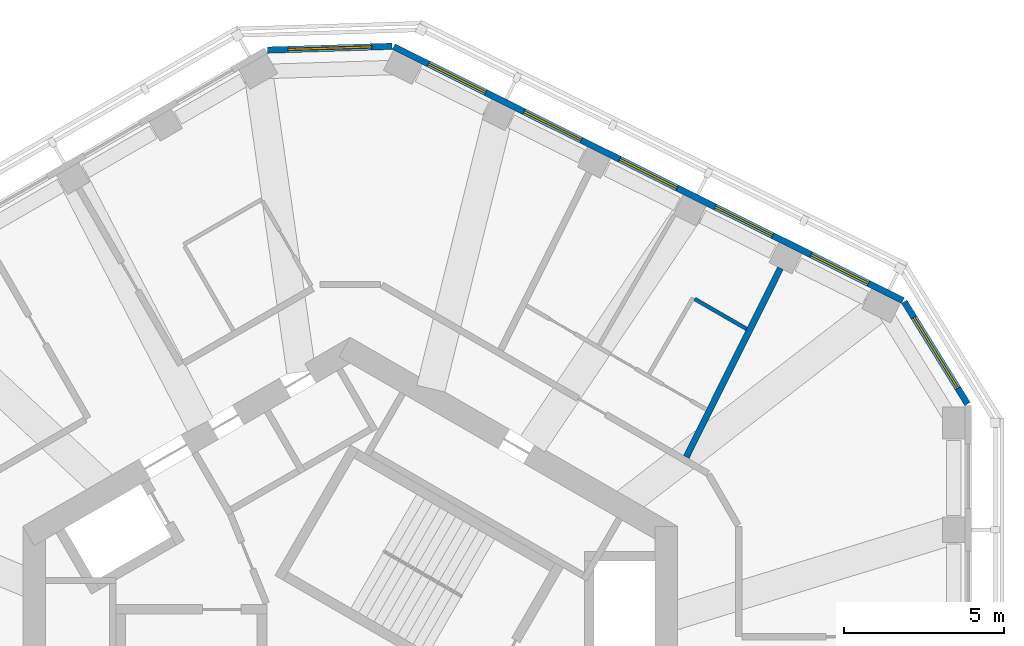
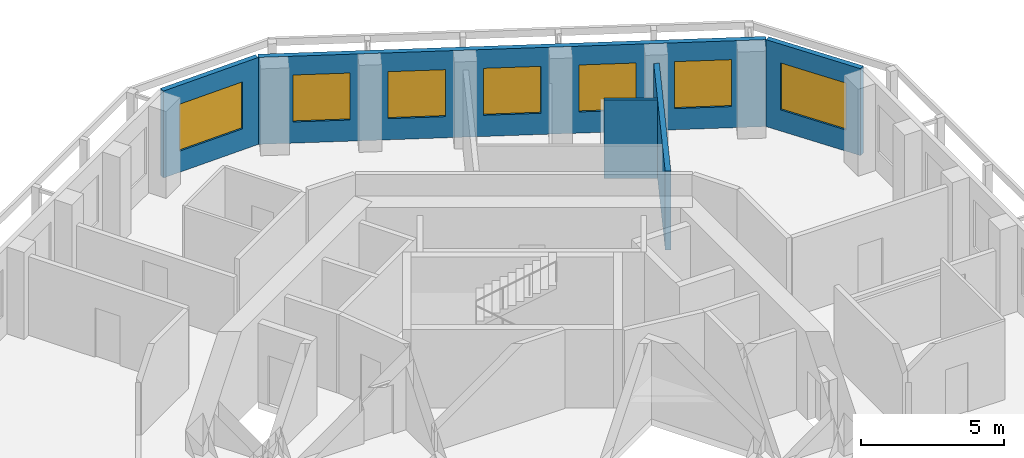
# One storey, part 8 of 11: 7 windows, 5 walls, 7 openings.
"""IFC4 building model written with IfcOpenShell, lengths in metres."""

from ifc_helpers import new_model, si_unit, direction, frame, frame_2d, origin, place, context, subcontext, project, spatial, rectangle, extrude, material, layer, layer_set, type_object, element, fill, save


model = new_model("IFC4")

# Units and contexts
model_context = context("Model", 3, precision=1e-05, world=origin(), true_north=direction((0.0, 1.0)))
body_context = subcontext(model_context, "Body", "Model", "MODEL_VIEW")
ifc_project = project(units=[si_unit("LENGTHUNIT", "METRE"), si_unit("AREAUNIT", "SQUARE_METRE"), si_unit("VOLUMEUNIT", "CUBIC_METRE"), si_unit("PLANEANGLEUNIT", "RADIAN"), si_unit("MASSUNIT", "GRAM", prefix="KILO")], contexts=[model_context])

# Site, building, storey
site_placement = place(None, origin())
site = spatial("IfcSite", under=ifc_project, at=site_placement, CompositionType="ELEMENT")
building_placement = place(site_placement, origin())
building = spatial("IfcBuilding", under=site, at=building_placement, Name="Vanh Sen Convention Tower", CompositionType="ELEMENT")
storey_placement = place(building_placement, frame((0.0, 0.0, 274.60009765625)))
storey = spatial("IfcBuildingStorey", under=building, at=storey_placement, Name="L68", CompositionType="ELEMENT", Elevation=274.60009765625)

# Wall
ifc_material_1 = material(Name="Moisture-resistant gypsum board on steel studs", Category="steel")
ifc_layer_1 = layer(ifc_material_1, 0.1201171875)
ifc_layer_set_1 = layer_set([ifc_layer_1], Name="Moisture-resistant gypsum board on steel studs")
wall_type_1 = type_object("IfcWallType", Name="Bathroom partition 120", PredefinedType="PARTITIONING", material=ifc_layer_set_1)
wall_1_placement = place(storey_placement, frame((12.34912109375, 12.038330078125, 0.0), z_axis=(0.0, 0.0, 1.0), x_axis=(-0.866039825209, 0.499975020527, 0.0)))
element("IfcWall", 1, at=wall_1_placement, inside=storey, type_object=wall_type_1, Name="Bathroom partition 120", PredefinedType="PARTITIONING", context=body_context, shape_type="SweptSolid", body=[
    extrude(rectangle(XDim=1.86865234375, YDim=0.1201171875, at=frame_2d((0.934326171875, 0.0))), origin(), (0.0, 0.0, 1.0), 3.349853515625),
])

# Wall, opening, window
ifc_material_2 = material(Name="Insulated lightweight infill wall")
ifc_layer_2 = layer(ifc_material_2, 0.199951171875)
ifc_layer_set_2 = layer_set([ifc_layer_2], Name="Insulated lightweight infill wall")
wall_type_2 = type_object("IfcWallType", Name="External wall 200", PredefinedType="STANDARD", material=ifc_layer_set_2)
wall_2_placement = place(storey_placement, frame((19.235107421875, 9.699951171875, 0.0), z_axis=(0.0, 0.0, 1.0), x_axis=(-0.526233475464, 0.850340125656, 0.0)))
wall_2 = element("IfcWall", 2, at=wall_2_placement, inside=storey, type_object=wall_type_2, Name="External wall CH1 L68", PredefinedType="STANDARD", context=body_context, shape_type="SweptSolid", body=[
    extrude(rectangle(XDim=3.746826171875, YDim=0.199951171875, at=frame_2d((1.87353515625, 0.0))), origin(), (0.0, 0.0, 1.0), 3.699951171875),
])
opening_1_placement = place(wall_2_placement, frame((0.573486328125, 0.0, 0.89990234375)))
opening_1 = element("IfcOpeningElement", 3, at=opening_1_placement, cuts=wall_2, Name="Opening WO6-CH11", PredefinedType="OPENING", context=body_context, shape_type="SweptSolid", body=[
    extrude(rectangle(XDim=2.60009765625, YDim=2.0, at=frame_2d((1.300048828125, 1.0))), frame((0.0, 0.10986328125, 0.0), z_axis=(0.0, -1.0, 0.0), x_axis=(1.0, 0.0, 0.0)), (0.0, 0.0, 1.0), 0.219970703125),
])
ifc_material_3 = material(Name="Aluminium frame with clear low-emissivity glass", Category="aluminium")
window_type_1 = type_object("IfcWindowType", Name="Office window 2600 x 2000", PartitioningType="SINGLE_PANEL", PredefinedType="WINDOW", material=ifc_material_3)
window_1_placement = place(opening_1_placement, origin())
window_1 = element("IfcWindow", 4, at=window_1_placement, inside=storey, type_object=window_type_1, Name="Window WO6-CH11", OverallHeight=2.0, OverallWidth=2.60009765625, PartitioningType="SINGLE_PANEL", PredefinedType="WINDOW", context=body_context, shape_type="SweptSolid", body=[
    extrude(rectangle(XDim=2.60009765625, YDim=2.0, at=frame_2d((1.300048828125, 1.0))), frame((0.0, 0.030029296875, 0.0), z_axis=(0.0, -1.0, 0.0), x_axis=(1.0, 0.0, 0.0)), (0.0, 0.0, 1.0), 0.06005859375),
])
fill(opening_1, window_1)

# Wall, openings, windows
wall_3_placement = place(storey_placement, frame((17.222900390625, 12.9228515625, 0.0), z_axis=(0.0, 0.0, 1.0), x_axis=(-0.894930561148, 0.44620543556, 0.0)))
wall_3 = element("IfcWall", 5, at=wall_3_placement, inside=storey, type_object=wall_type_2, Name="External wall NE L68", PredefinedType="STANDARD", context=body_context, shape_type="SweptSolid", body=[
    extrude(rectangle(XDim=17.7314453125, YDim=0.199951171875, at=frame_2d((8.86572265625, 0.0))), origin(), (0.0, 0.0, 1.0), 3.699951171875),
])
opening_2_placement = place(wall_3_placement, frame((1.20166015625, 0.0, 0.89990234375)))
opening_2 = element("IfcOpeningElement", 6, at=opening_2_placement, cuts=wall_3, Name="Opening WO5-NE1", PredefinedType="OPENING", context=body_context, shape_type="SweptSolid", body=[
    extrude(rectangle(XDim=2.0, YDim=2.0, at=frame_2d((1.0, 1.0))), frame((0.0, 0.10986328125, 0.0), z_axis=(0.0, -1.0, 0.0), x_axis=(1.0, 0.0, 0.0)), (0.0, 0.0, 1.0), 0.219970703125),
])
opening_3_placement = place(wall_3_placement, frame((4.533203125, 0.0, 0.89990234375)))
opening_3 = element("IfcOpeningElement", 7, at=opening_3_placement, cuts=wall_3, Name="Opening WO5-NE2", PredefinedType="OPENING", context=body_context, shape_type="SweptSolid", body=[
    extrude(rectangle(XDim=2.0, YDim=2.0, at=frame_2d((1.0, 1.0))), frame((0.0, 0.10986328125, 0.0), z_axis=(0.0, -1.0, 0.0), x_axis=(1.0, 0.0, 0.0)), (0.0, 0.0, 1.0), 0.219970703125),
])
opening_4_placement = place(wall_3_placement, frame((7.864990234375, 0.0, 0.89990234375)))
opening_4 = element("IfcOpeningElement", 8, at=opening_4_placement, cuts=wall_3, Name="Opening WO5-NE3", PredefinedType="OPENING", context=body_context, shape_type="SweptSolid", body=[
    extrude(rectangle(XDim=2.0, YDim=2.0, at=frame_2d((1.0, 1.0))), frame((0.0, 0.10986328125, 0.0), z_axis=(0.0, -1.0, 0.0), x_axis=(1.0, 0.0, 0.0)), (0.0, 0.0, 1.0), 0.219970703125),
])
opening_5_placement = place(wall_3_placement, frame((11.196533203125, 0.0, 0.89990234375)))
opening_5 = element("IfcOpeningElement", 9, at=opening_5_placement, cuts=wall_3, Name="Opening WO5-NE4", PredefinedType="OPENING", context=body_context, shape_type="SweptSolid", body=[
    extrude(rectangle(XDim=2.0, YDim=2.0, at=frame_2d((1.0, 1.0))), frame((0.0, 0.10986328125, 0.0), z_axis=(0.0, -1.0, 0.0), x_axis=(1.0, 0.0, 0.0)), (0.0, 0.0, 1.0), 0.219970703125),
])
opening_6_placement = place(wall_3_placement, frame((14.5283203125, 0.0, 0.89990234375)))
opening_6 = element("IfcOpeningElement", 10, at=opening_6_placement, cuts=wall_3, Name="Opening WO5-NE5", PredefinedType="OPENING", context=body_context, shape_type="SweptSolid", body=[
    extrude(rectangle(XDim=2.0, YDim=2.0, at=frame_2d((1.0, 1.0))), frame((0.0, 0.10986328125, 0.0), z_axis=(0.0, -1.0, 0.0), x_axis=(1.0, 0.0, 0.0)), (0.0, 0.0, 1.0), 0.219970703125),
])
window_type_2 = type_object("IfcWindowType", Name="Office window 2000 x 2000", PartitioningType="SINGLE_PANEL", PredefinedType="WINDOW", material=ifc_material_3)
window_2_placement = place(opening_2_placement, origin())
window_2 = element("IfcWindow", 11, at=window_2_placement, inside=storey, type_object=window_type_2, Name="Window WO5-NE1", OverallHeight=2.0, OverallWidth=2.0, PartitioningType="SINGLE_PANEL", PredefinedType="WINDOW", context=body_context, shape_type="SweptSolid", body=[
    extrude(rectangle(XDim=2.0, YDim=2.0, at=frame_2d((1.0, 1.0))), frame((0.0, 0.030029296875, 0.0), z_axis=(0.0, -1.0, 0.0), x_axis=(1.0, 0.0, 0.0)), (0.0, 0.0, 1.0), 0.06005859375),
])
fill(opening_2, window_2)
window_3_placement = place(opening_3_placement, origin())
window_3 = element("IfcWindow", 12, at=window_3_placement, inside=storey, type_object=window_type_2, Name="Window WO5-NE2", OverallHeight=2.0, OverallWidth=2.0, PartitioningType="SINGLE_PANEL", PredefinedType="WINDOW", context=body_context, shape_type="SweptSolid", body=[
    extrude(rectangle(XDim=2.0, YDim=2.0, at=frame_2d((1.0, 1.0))), frame((0.0, 0.030029296875, 0.0), z_axis=(0.0, -1.0, 0.0), x_axis=(1.0, 0.0, 0.0)), (0.0, 0.0, 1.0), 0.06005859375),
])
fill(opening_3, window_3)
window_4_placement = place(opening_4_placement, origin())
window_4 = element("IfcWindow", 13, at=window_4_placement, inside=storey, type_object=window_type_2, Name="Window WO5-NE3", OverallHeight=2.0, OverallWidth=2.0, PartitioningType="SINGLE_PANEL", PredefinedType="WINDOW", context=body_context, shape_type="SweptSolid", body=[
    extrude(rectangle(XDim=2.0, YDim=2.0, at=frame_2d((1.0, 1.0))), frame((0.0, 0.030029296875, 0.0), z_axis=(0.0, -1.0, 0.0), x_axis=(1.0, 0.0, 0.0)), (0.0, 0.0, 1.0), 0.06005859375),
])
fill(opening_4, window_4)
window_5_placement = place(opening_5_placement, origin())
window_5 = element("IfcWindow", 14, at=window_5_placement, inside=storey, type_object=window_type_2, Name="Window WO5-NE4", OverallHeight=2.0, OverallWidth=2.0, PartitioningType="SINGLE_PANEL", PredefinedType="WINDOW", context=body_context, shape_type="SweptSolid", body=[
    extrude(rectangle(XDim=2.0, YDim=2.0, at=frame_2d((1.0, 1.0))), frame((0.0, 0.030029296875, 0.0), z_axis=(0.0, -1.0, 0.0), x_axis=(1.0, 0.0, 0.0)), (0.0, 0.0, 1.0), 0.06005859375),
])
fill(opening_5, window_5)
window_6_placement = place(opening_6_placement, origin())
window_6 = element("IfcWindow", 15, at=window_6_placement, inside=storey, type_object=window_type_2, Name="Window WO5-NE5", OverallHeight=2.0, OverallWidth=2.0, PartitioningType="SINGLE_PANEL", PredefinedType="WINDOW", context=body_context, shape_type="SweptSolid", body=[
    extrude(rectangle(XDim=2.0, YDim=2.0, at=frame_2d((1.0, 1.0))), frame((0.0, 0.030029296875, 0.0), z_axis=(0.0, -1.0, 0.0), x_axis=(1.0, 0.0, 0.0)), (0.0, 0.0, 1.0), 0.06005859375),
])
fill(opening_6, window_6)

# Wall, opening, window
wall_4_placement = place(storey_placement, frame((1.306884765625, 20.84521484375, 0.0), z_axis=(0.0, 0.0, 1.0), x_axis=(-0.999533654813, -0.030536419175, 0.0)))
wall_4 = element("IfcWall", 16, at=wall_4_placement, inside=storey, type_object=wall_type_2, Name="External wall CH2 L68", PredefinedType="STANDARD", context=body_context, shape_type="SweptSolid", body=[
    extrude(rectangle(XDim=3.885498046875, YDim=0.199951171875, at=frame_2d((1.94287109375, 0.0))), origin(), (0.0, 0.0, 1.0), 3.699951171875),
])
opening_7_placement = place(wall_4_placement, frame((0.642822265625, 0.0, 0.89990234375)))
opening_7 = element("IfcOpeningElement", 17, at=opening_7_placement, cuts=wall_4, Name="Opening WO6-CH21", PredefinedType="OPENING", context=body_context, shape_type="SweptSolid", body=[
    extrude(rectangle(XDim=2.60009765625, YDim=2.0, at=frame_2d((1.300048828125, 1.0))), frame((0.0, 0.10986328125, 0.0), z_axis=(0.0, -1.0, 0.0), x_axis=(1.0, 0.0, 0.0)), (0.0, 0.0, 1.0), 0.219970703125),
])
window_7_placement = place(opening_7_placement, origin())
window_7 = element("IfcWindow", 18, at=window_7_placement, inside=storey, type_object=window_type_1, Name="Window WO6-CH21", OverallHeight=2.0, OverallWidth=2.60009765625, PartitioningType="SINGLE_PANEL", PredefinedType="WINDOW", context=body_context, shape_type="SweptSolid", body=[
    extrude(rectangle(XDim=2.60009765625, YDim=2.0, at=frame_2d((1.300048828125, 1.0))), frame((0.0, 0.030029296875, 0.0), z_axis=(0.0, -1.0, 0.0), x_axis=(1.0, 0.0, 0.0)), (0.0, 0.0, 1.0), 0.06005859375),
])
fill(opening_7, window_7)

# Wall
ifc_material_4 = material(Name="Gypsum board on steel studs with mineral wool", Category="steel")
ifc_layer_3 = layer(ifc_material_4, 0.199951171875)
ifc_layer_set_3 = layer_set([ifc_layer_3], Name="Gypsum board on steel studs with mineral wool")
wall_type_3 = type_object("IfcWallType", Name="Tenant suite wall 200", PredefinedType="PARTITIONING", material=ifc_layer_set_3)
wall_5_placement = place(storey_placement, frame((13.40478515625, 13.9326171875, 0.0), z_axis=(0.0, 0.0, 1.0), x_axis=(-0.446187838644, -0.894939334618, 0.0)))
element("IfcWall", 19, at=wall_5_placement, inside=storey, type_object=wall_type_3, Name="Tenant suite wall 200", PredefinedType="PARTITIONING", context=body_context, shape_type="SweptSolid", body=[
    extrude(rectangle(XDim=6.571044921875, YDim=0.199951171875, at=frame_2d((3.28564453125, 0.0))), origin(), (0.0, 0.0, 1.0), 3.349853515625),
])

save(model, "model.ifc")
